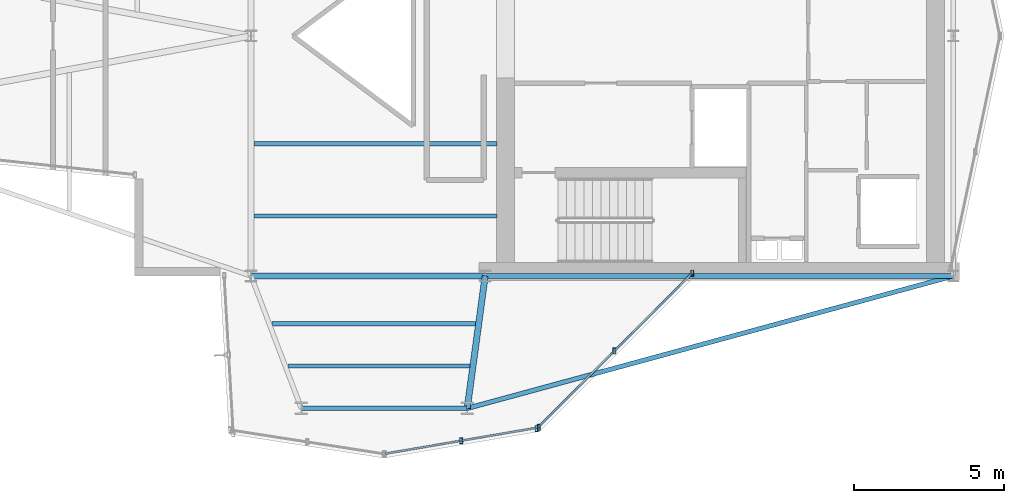
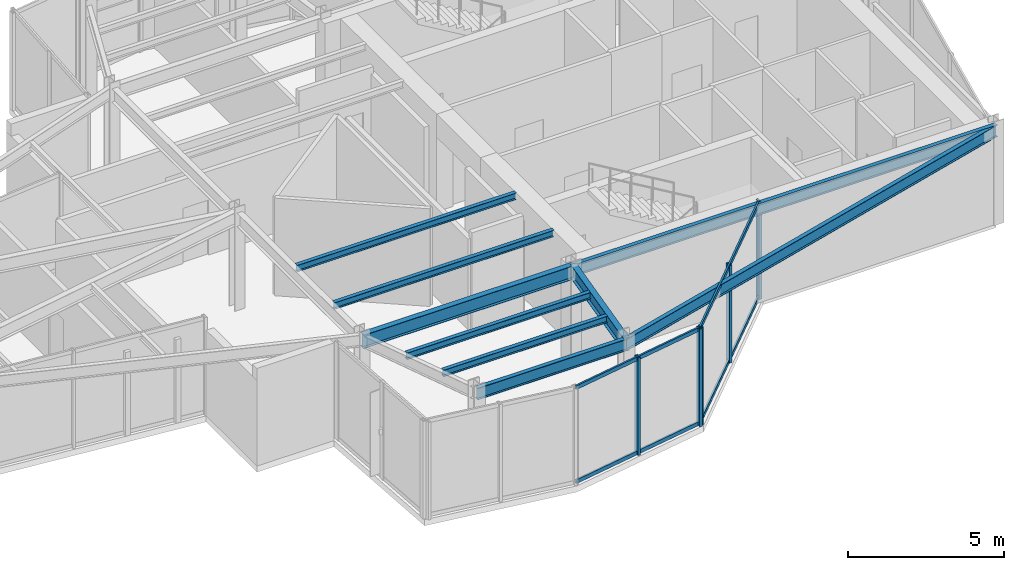
# One storey, part 3 of 13: 9 beams, 9 members, 2 elements without a shape of their own.
"""IFC4 building model written with IfcOpenShell, lengths in metres."""

from ifc_helpers import new_model, si_unit, direction, frame, origin, origin_2d, place, context, subcontext, project, spatial, hollow_rectangle, i_section, extrude, material, layer, layer_set, material_profile, profile_set, type_object, element, aggregate, save


model = new_model("IFC4")

# Units and contexts
model_context = context("Model", 3, precision=1e-05, world=origin(), true_north=direction((0.0, 1.0)))
body_context = subcontext(model_context, "Body", "Model", "MODEL_VIEW")
ifc_project = project(units=[si_unit("LENGTHUNIT", "METRE"), si_unit("AREAUNIT", "SQUARE_METRE"), si_unit("VOLUMEUNIT", "CUBIC_METRE"), si_unit("PLANEANGLEUNIT", "RADIAN"), si_unit("MASSUNIT", "GRAM", prefix="KILO")], contexts=[model_context])

# Site, building, storey
site_placement = place(None, origin())
site = spatial("IfcSite", under=ifc_project, at=site_placement, CompositionType="ELEMENT")
building_placement = place(site_placement, origin())
building = spatial("IfcBuilding", under=site, at=building_placement, Name="Veymaron Broadcast Tower", CompositionType="ELEMENT")
storey_placement = place(building_placement, frame((0.0, 0.0, 307.35009765625)))
storey = spatial("IfcBuildingStorey", under=building, at=storey_placement, Name="L72", CompositionType="ELEMENT", Elevation=307.35009765625)

# Beams
ifc_material_1 = material(Name="Structural steel ASTM A992 Gr 50", Category="steel")
ifc_material_profile_1 = material_profile(ifc_material_1, i_section(OverallWidth=0.208984375, OverallDepth=0.528076171875, WebThickness=0.009521484375, FlangeThickness=0.01318359375, at=origin_2d()), Name="W530X82")
ifc_profile_set_1 = profile_set([ifc_material_profile_1], Name="Structural steel ASTM A992 Gr 50")
beam_type_1 = type_object("IfcBeamType", Name="BM-FG4", PredefinedType="BEAM", material=ifc_profile_set_1)
beam_1_placement = place(storey_placement, frame((31.199951171875, 16.0, 3.5458984375), z_axis=(1.0, 0.0, 0.0), x_axis=(0.0, 1.0, 0.0)))
element("IfcBeam", 1, at=beam_1_placement, inside=storey, type_object=beam_type_1, Name="L72 primary structural floor girder", PredefinedType="BEAM", context=body_context, shape_type="SweptSolid", body=[
    extrude(i_section(OverallWidth=0.208984375, OverallDepth=0.528076171875, WebThickness=0.009521484375, FlangeThickness=0.01318359375, at=origin_2d()), origin(), (0.0, 0.0, 1.0), 7.800048828125),
])
beam_2_placement = place(storey_placement, frame((39.0, 16.0, 3.5458984375), z_axis=(-0.134286101992, -0.990942603187, 0.0), x_axis=(0.990942603187, -0.134286101992, 0.0)))
element("IfcBeam", 2, at=beam_2_placement, inside=storey, type_object=beam_type_1, Name="L72 primary structural floor girder", PredefinedType="BEAM", context=body_context, shape_type="SweptSolid", body=[
    extrude(i_section(OverallWidth=0.208984375, OverallDepth=0.528076171875, WebThickness=0.009521484375, FlangeThickness=0.01318359375, at=origin_2d()), origin(), (0.0, 0.0, 1.0), 4.452392578125),
])
ifc_material_profile_2 = material_profile(ifc_material_1, i_section(OverallWidth=0.14599609375, OverallDepth=0.258056640625, WebThickness=0.006103515625, FlangeThickness=0.009033203125, at=origin_2d()), Name="W250X33")
ifc_profile_set_2 = profile_set([ifc_material_profile_2], Name="Structural steel ASTM A992 Gr 50")
beam_type_2 = type_object("IfcBeamType", Name="BM-JS4", PredefinedType="JOIST", material=ifc_profile_set_2)
beam_3_placement = place(storey_placement, frame((31.90283203125, 14.41162109375, 3.680908203125), z_axis=(1.0, 0.0, 0.0), x_axis=(0.0, 1.0, 0.0)))
element("IfcBeam", 3, at=beam_3_placement, inside=storey, type_object=beam_type_2, Name="L72 Arm-C secondary joist 1", PredefinedType="JOIST", context=body_context, shape_type="SweptSolid", body=[
    extrude(i_section(OverallWidth=0.14599609375, OverallDepth=0.258056640625, WebThickness=0.006103515625, FlangeThickness=0.009033203125, at=origin_2d()), origin(), (0.0, 0.0, 1.0), 6.781982421875),
])
beam_4_placement = place(storey_placement, frame((32.438720703125, 12.999755859375, 3.680908203125), z_axis=(1.0, 0.0, 0.0), x_axis=(0.0, 1.0, 0.0)))
element("IfcBeam", 4, at=beam_4_placement, inside=storey, type_object=beam_type_2, Name="L72 Arm-C secondary joist 2", PredefinedType="JOIST", context=body_context, shape_type="SweptSolid", body=[
    extrude(i_section(OverallWidth=0.14599609375, OverallDepth=0.258056640625, WebThickness=0.006103515625, FlangeThickness=0.009033203125, at=origin_2d()), origin(), (0.0, 0.0, 1.0), 6.0546875),
])
for number, where, z_axis, x_axis, name in (
    (5, (31.300048828125, 18.0, 3.680908203125), (1.0, 0.0, 0.0), (0.0, 1.0, 0.0), "L72 Hub secondary joist 1"),
    (6, (31.300048828125, 20.39990234375, 3.680908203125), (1.0, 0.0, 0.0), (0.0, 1.0, 0.0), "L72 Hub secondary joist 2"),
):
    element("IfcBeam", number, at=place(storey_placement, frame(where, z_axis=z_axis, x_axis=x_axis)), inside=storey, type_object=beam_type_2, Name=name, PredefinedType="JOIST", context=body_context, shape_type="SweptSolid", body=[
        extrude(i_section(OverallWidth=0.14599609375, OverallDepth=0.258056640625, WebThickness=0.006103515625, FlangeThickness=0.009033203125, at=origin_2d()), origin(), (0.0, 0.0, 1.0), 8.099853515625),
    ])
ifc_material_profile_3 = material_profile(ifc_material_1, i_section(OverallWidth=0.154052734375, OverallDepth=0.458984375, WebThickness=0.009033203125, FlangeThickness=0.015380859375, at=origin_2d()), Name="W460X68")
ifc_profile_set_3 = profile_set([ifc_material_profile_3], Name="Structural steel ASTM A992 Gr 50")
beam_type_3 = type_object("IfcBeamType", Name="BM-SP2", PredefinedType="SPANDREL", material=ifc_profile_set_3)
beam_5_placement = place(storey_placement, frame((39.0, 16.0, 3.580322265625), z_axis=(1.0, 0.0, 0.0), x_axis=(0.0, 1.0, 0.0)))
element("IfcBeam", 7, at=beam_5_placement, inside=storey, type_object=beam_type_3, Name="L72 primary structural floor girder", PredefinedType="SPANDREL", context=body_context, shape_type="SweptSolid", body=[
    extrude(i_section(OverallWidth=0.154052734375, OverallDepth=0.458984375, WebThickness=0.009033203125, FlangeThickness=0.015380859375, at=origin_2d()), origin(), (0.0, 0.0, 1.0), 15.60009765625),
])
beam_6_placement = place(storey_placement, frame((54.60009765625, 16.0, 3.580322265625), z_axis=(-0.964847335687, -0.262810994477, 0.0), x_axis=(0.262810994477, -0.964847335687, 0.0)))
element("IfcBeam", 8, at=beam_6_placement, inside=storey, type_object=beam_type_3, Name="L72 primary structural floor girder", PredefinedType="SPANDREL", context=body_context, shape_type="SweptSolid", body=[
    extrude(i_section(OverallWidth=0.154052734375, OverallDepth=0.458984375, WebThickness=0.009033203125, FlangeThickness=0.015380859375, at=origin_2d()), origin(), (0.0, 0.0, 1.0), 16.7880859375),
])
beam_7_placement = place(storey_placement, frame((32.87451171875, 11.587890625, 3.580322265625), z_axis=(1.0, 0.0, 0.0), x_axis=(0.0, 1.0, 0.0)))
element("IfcBeam", 9, at=beam_7_placement, inside=storey, type_object=beam_type_3, Name="L72 primary structural floor girder", PredefinedType="SPANDREL", context=body_context, shape_type="SweptSolid", body=[
    extrude(i_section(OverallWidth=0.154052734375, OverallDepth=0.458984375, WebThickness=0.009033203125, FlangeThickness=0.015380859375, at=origin_2d()), origin(), (0.0, 0.0, 1.0), 5.527587890625),
])

# Curtain wall, members
ifc_material_2 = material(Name="Anodised aluminium AA 6063-T6 and laminated low-E dark glass", Category="aluminium")
ifc_layer = layer(ifc_material_2, 0.179931640625)
ifc_layer_set = layer_set([ifc_layer], Name="Anodised aluminium AA 6063-T6 and laminated low-E dark glass")
curtain_wall_type = type_object("IfcCurtainWallType", Name="CW-SYS-06", PredefinedType="NOTDEFINED", material=ifc_layer_set)
curtain_wall_1_placement = place(storey_placement, origin())
curtain_wall_1 = element("IfcCurtainWall", 10, at=curtain_wall_1_placement, inside=storey, type_object=curtain_wall_type, Name="L72 dark-glass curtain wall CW-L72-E19-1", PredefinedType="NOTDEFINED")
ifc_material_3 = material(Name="Anodised aluminium AA 6063-T6", Category="aluminium")
ifc_material_profile_4 = material_profile(ifc_material_3, hollow_rectangle(XDim=0.10009765625, YDim=0.199951171875, WallThickness=0.010009765625, at=origin_2d()), Name="RHS200X100X10")
ifc_profile_set_4 = profile_set([ifc_material_profile_4], Name="Anodised aluminium AA 6063-T6")
member_type_1 = type_object("IfcMemberType", Name="CW-MUL-01", PredefinedType="MULLION", material=ifc_profile_set_4)
member_1_placement = place(storey_placement, frame((38.199951171875, 10.510986328125, 0.0), z_axis=(0.0, 0.0, 1.0), x_axis=(1.0, 0.0, 0.0)))
member_1 = element("IfcMember", 11, at=member_1_placement, type_object=member_type_1, Name="CW-L72-E19-1 mullion 1", PredefinedType="MULLION", context=body_context, shape_type="SweptSolid", body=[
    extrude(hollow_rectangle(XDim=0.10009765625, YDim=0.199951171875, WallThickness=0.010009765625, at=origin_2d()), origin(), (0.0, 0.0, 1.0), 3.809814453125),
])
member_2_placement = place(storey_placement, frame((40.78662109375, 10.953125, 0.0), z_axis=(0.0, 0.0, 1.0), x_axis=(1.0, 0.0, 0.0)))
member_2 = element("IfcMember", 12, at=member_2_placement, type_object=member_type_1, Name="CW-L72-E19-1 mullion 2", PredefinedType="MULLION", context=body_context, shape_type="SweptSolid", body=[
    extrude(hollow_rectangle(XDim=0.10009765625, YDim=0.199951171875, WallThickness=0.010009765625, at=origin_2d()), origin(), (0.0, 0.0, 1.0), 3.809814453125),
])

curtain_wall_2_placement = place(storey_placement, origin())
curtain_wall_2 = element("IfcCurtainWall", 13, at=curtain_wall_2_placement, inside=storey, type_object=curtain_wall_type, Name="L72 dark-glass curtain wall CW-L72-E20-1", PredefinedType="NOTDEFINED")
member_3_placement = place(storey_placement, frame((40.711181640625, 10.914306640625, 0.0), z_axis=(0.0, 0.0, 1.0), x_axis=(1.0, 0.0, 0.0)))
member_3 = element("IfcMember", 14, at=member_3_placement, type_object=member_type_1, Name="CW-L72-E20-1 mullion 0", PredefinedType="MULLION", context=body_context, shape_type="SweptSolid", body=[
    extrude(hollow_rectangle(XDim=0.10009765625, YDim=0.199951171875, WallThickness=0.010009765625, at=origin_2d()), origin(), (0.0, 0.0, 1.0), 3.809814453125),
])
member_4_placement = place(storey_placement, frame((43.3056640625, 13.506591796875, 0.0), z_axis=(0.0, 0.0, 1.0), x_axis=(1.0, 0.0, 0.0)))
member_4 = element("IfcMember", 15, at=member_4_placement, type_object=member_type_1, Name="CW-L72-E20-1 mullion 1", PredefinedType="MULLION", context=body_context, shape_type="SweptSolid", body=[
    extrude(hollow_rectangle(XDim=0.10009765625, YDim=0.199951171875, WallThickness=0.010009765625, at=origin_2d()), origin(), (0.0, 0.0, 1.0), 3.809814453125),
])
member_5_placement = place(storey_placement, frame((45.900390625, 16.09912109375, 0.0), z_axis=(0.0, 0.0, 1.0), x_axis=(1.0, 0.0, 0.0)))
member_5 = element("IfcMember", 16, at=member_5_placement, type_object=member_type_1, Name="CW-L72-E20-1 mullion 2", PredefinedType="MULLION", context=body_context, shape_type="SweptSolid", body=[
    extrude(hollow_rectangle(XDim=0.10009765625, YDim=0.199951171875, WallThickness=0.010009765625, at=origin_2d()), origin(), (0.0, 0.0, 1.0), 3.809814453125),
])

# Member
ifc_material_profile_5 = material_profile(ifc_material_3, hollow_rectangle(XDim=0.06494140625, YDim=0.14990234375, WallThickness=0.00390625, at=origin_2d()), Name="AL150X65X4")
ifc_profile_set_5 = profile_set([ifc_material_profile_5], Name="Anodised aluminium AA 6063-T6")
member_type_2 = type_object("IfcMemberType", Name="CW-TRN-01", PredefinedType="USERDEFINED", material=ifc_profile_set_5)
member_6_placement = place(storey_placement, frame((35.662841796875, 10.0771484375, 0.06982421875), z_axis=(0.98569437166, 0.168542593066, 0.0), x_axis=(-0.168542593066, 0.98569437166, 0.0)))
member_6 = element("IfcMember", 17, at=member_6_placement, type_object=member_type_2, Name="CW-L72-E19-1 transom B", ObjectType="TRANSOM", PredefinedType="USERDEFINED", context=body_context, shape_type="SweptSolid", body=[
    extrude(hollow_rectangle(XDim=0.06494140625, YDim=0.14990234375, WallThickness=0.00390625, at=origin_2d()), origin(), (0.0, 0.0, 1.0), 5.148193359375),
])

member_7_placement = place(storey_placement, frame((35.662841796875, 10.0771484375, 3.739990234375), z_axis=(0.98569437166, 0.168542593066, 0.0), x_axis=(-0.168542593066, 0.98569437166, 0.0)))
member_7 = element("IfcMember", 18, at=member_7_placement, type_object=member_type_2, Name="CW-L72-E19-1 transom T", ObjectType="TRANSOM", PredefinedType="USERDEFINED", context=body_context, shape_type="SweptSolid", body=[
    extrude(hollow_rectangle(XDim=0.06494140625, YDim=0.14990234375, WallThickness=0.00390625, at=origin_2d()), origin(), (0.0, 0.0, 1.0), 5.148193359375),
])

aggregate(curtain_wall_1, [member_1, member_2, member_6, member_7])

member_8_placement = place(storey_placement, frame((40.74658203125, 10.949462890625, 0.06982421875), z_axis=(0.70739352698, 0.706819919064, 0.0), x_axis=(-0.706819919064, 0.70739352698, 0.0)))
member_8 = element("IfcMember", 19, at=member_8_placement, type_object=member_type_2, Name="CW-L72-E20-1 transom B", ObjectType="TRANSOM", PredefinedType="USERDEFINED", context=body_context, shape_type="SweptSolid", body=[
    extrude(hollow_rectangle(XDim=0.06494140625, YDim=0.14990234375, WallThickness=0.00390625, at=origin_2d()), origin(), (0.0, 0.0, 1.0), 7.235595703125),
])

member_9_placement = place(storey_placement, frame((40.74658203125, 10.949462890625, 3.739990234375), z_axis=(0.70739352698, 0.706819919064, 0.0), x_axis=(-0.706819919064, 0.70739352698, 0.0)))
member_9 = element("IfcMember", 20, at=member_9_placement, type_object=member_type_2, Name="CW-L72-E20-1 transom T", ObjectType="TRANSOM", PredefinedType="USERDEFINED", context=body_context, shape_type="SweptSolid", body=[
    extrude(hollow_rectangle(XDim=0.06494140625, YDim=0.14990234375, WallThickness=0.00390625, at=origin_2d()), origin(), (0.0, 0.0, 1.0), 7.235595703125),
])

aggregate(curtain_wall_2, [member_3, member_4, member_5, member_8, member_9])

save(model, "model.ifc")
